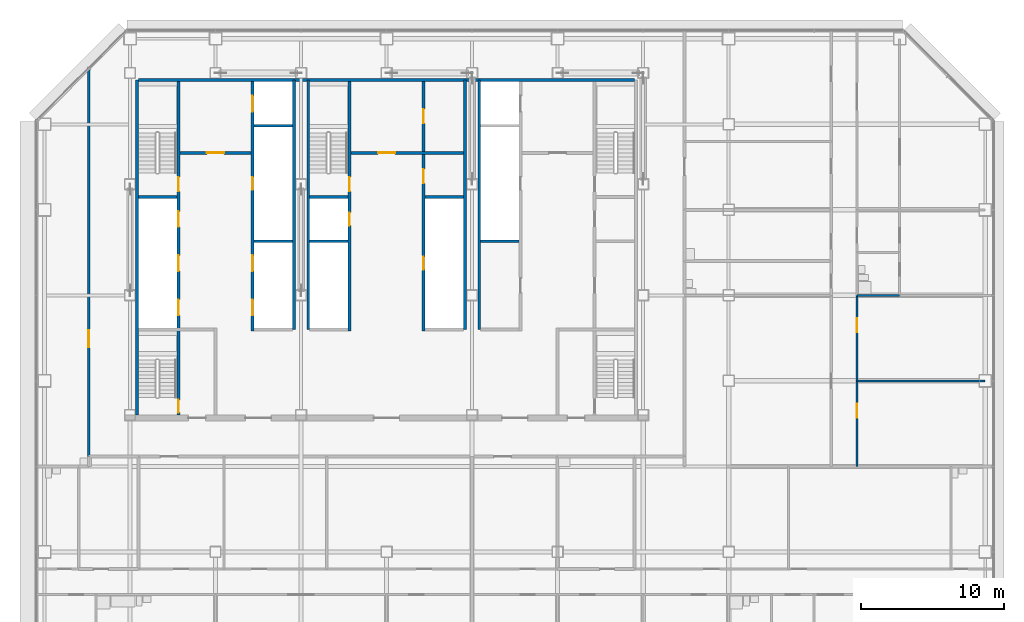
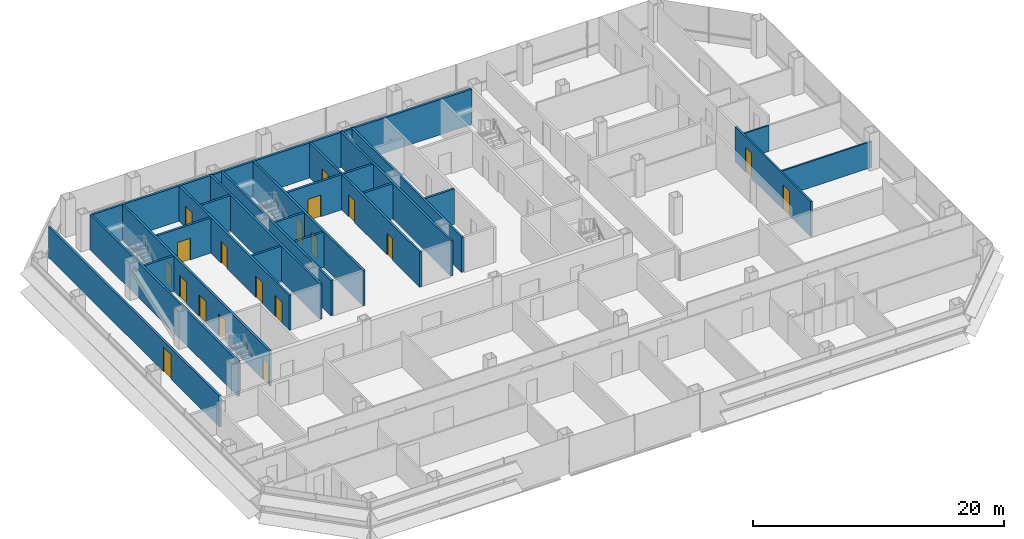
# One storey, part 22 of 27: 23 walls, 19 doors, 19 openings.
"""IFC4 building model written with IfcOpenShell, lengths in metres."""

from ifc_helpers import new_model, si_unit, direction, frame, frame_2d, origin, place, context, subcontext, project, spatial, rectangle, extrude, material, layer, layer_set, type_object, element, fill, save


model = new_model("IFC4")

# Units and contexts
model_context = context("Model", 3, precision=1e-05, world=origin(), true_north=direction((0.0, 1.0)))
body_context = subcontext(model_context, "Body", "Model", "MODEL_VIEW")
ifc_project = project(units=[si_unit("LENGTHUNIT", "METRE"), si_unit("AREAUNIT", "SQUARE_METRE"), si_unit("VOLUMEUNIT", "CUBIC_METRE"), si_unit("PLANEANGLEUNIT", "RADIAN"), si_unit("MASSUNIT", "GRAM", prefix="KILO")], contexts=[model_context])

# Site, building, storey
site_placement = place(None, origin())
site = spatial("IfcSite", under=ifc_project, at=site_placement, CompositionType="ELEMENT")
building_placement = place(site_placement, origin())
building = spatial("IfcBuilding", under=site, at=building_placement, Name="Sorahane Residences", CompositionType="ELEMENT")
storey_placement = place(building_placement, frame((0.0, 0.0, 78.60009765625)))
storey = spatial("IfcBuildingStorey", under=building, at=storey_placement, Name="L16", CompositionType="ELEMENT", Elevation=78.60009765625)

# Walls
ifc_material_1 = material(Name="Concrete C30", Category="concrete")
ifc_layer_1 = layer(ifc_material_1, 0.199951171875)
ifc_layer_set_1 = layer_set([ifc_layer_1], Name="Core face wall 200 EI 180")
wall_type_1 = type_object("IfcWallType", Name="Core face wall 200 EI 180", PredefinedType="SOLIDWALL", material=ifc_layer_set_1)
wall_1_placement = place(storey_placement, frame((6.5, 21.60009765625, 0.0), z_axis=(0.0, 0.0, 1.0), x_axis=(0.0, 1.0, 0.0)))
element("IfcWall", 1, at=wall_1_placement, inside=storey, type_object=wall_type_1, Name="L16 core face wall", PredefinedType="SOLIDWALL", context=body_context, shape_type="SweptSolid", body=[
    extrude(rectangle(XDim=23.5, YDim=0.199951171875, at=frame_2d((11.75, 0.0))), origin(), (0.0, 0.0, 1.0), 3.419921875),
])
wall_2_placement = place(storey_placement, frame((6.60009765625, 45.10009765625, 0.0), z_axis=(0.0, 0.0, 1.0), x_axis=(1.0, 0.0, 0.0)))
element("IfcWall", 2, at=wall_2_placement, inside=storey, type_object=wall_type_1, Name="L16 core face wall", PredefinedType="SOLIDWALL", context=body_context, shape_type="SweptSolid", body=[
    extrude(rectangle(XDim=34.7998046875, YDim=0.199951171875, at=frame_2d((17.39990234375, 0.0))), origin(), (0.0, 0.0, 1.0), 3.419921875),
])
for number, where, z_axis, x_axis, name in (
    (3, (17.5, 27.60009765625, 0.0), (0.0, 0.0, 1.0), (0.0, 1.0, 0.0), "L16 core face wall"),
    (4, (18.5, 27.60009765625, 0.0), (0.0, 0.0, 1.0), (0.0, 1.0, 0.0), "L16 core face wall"),
    (5, (29.5, 27.60009765625, 0.0), (0.0, 0.0, 1.0), (0.0, 1.0, 0.0), "L16 core face wall"),
    (6, (30.5, 27.60009765625, 0.0), (0.0, 0.0, 1.0), (0.0, 1.0, 0.0), "L16 core face wall"),
):
    element("IfcWall", number, at=place(storey_placement, frame(where, z_axis=z_axis, x_axis=x_axis)), inside=storey, type_object=wall_type_1, Name=name, PredefinedType="SOLIDWALL", context=body_context, shape_type="SweptSolid", body=[
        extrude(rectangle(XDim=17.5, YDim=0.199951171875, at=frame_2d((8.75, 0.0))), origin(), (0.0, 0.0, 1.0), 3.419921875),
    ])

# Wall, opening, door
ifc_material_2 = material(Name="Concrete blockwork C20 wall", Category="masonry")
ifc_layer_2 = layer(ifc_material_2, 0.199951171875)
ifc_layer_set_2 = layer_set([ifc_layer_2], Name="Corridor wall 200 EI 120")
wall_type_2 = type_object("IfcWallType", Name="Corridor wall 200 EI 120", PredefinedType="SOLIDWALL", material=ifc_layer_set_2)
wall_3_placement = place(storey_placement, frame((3.10009765625, 18.699951171875, 0.0), z_axis=(0.0, 0.0, 1.0), x_axis=(0.0, 1.0, 0.0)))
wall_3 = element("IfcWall", 7, at=wall_3_placement, inside=storey, type_object=wall_type_2, Name="L16 corridor wall", PredefinedType="SOLIDWALL", context=body_context, shape_type="SweptSolid", body=[
    extrude(rectangle(XDim=27.2490234375, YDim=0.199951171875, at=frame_2d((13.62451171875, 0.0))), origin(), (0.0, 0.0, 1.0), 2.969970703125),
])
opening_1_placement = place(wall_3_placement, frame((7.659912109375, 0.0, 0.0)))
opening_1 = element("IfcOpeningElement", 8, at=opening_1_placement, cuts=wall_3, Name="Opening L16-41", PredefinedType="OPENING", context=body_context, shape_type="SweptSolid", body=[
    extrude(rectangle(XDim=1.199951171875, YDim=2.39990234375, at=frame_2d((0.60009765625, 1.199951171875))), frame((0.0, 0.10986328125, 0.0), z_axis=(0.0, -1.0, 0.0), x_axis=(1.0, 0.0, 0.0)), (0.0, 0.0, 1.0), 0.219970703125),
])
ifc_material_3 = material(Name="Steel", Category="steel")
door_type_1 = type_object("IfcDoorType", Name="Lobby door 1200x2400 FD60", OperationType="NOTDEFINED", PredefinedType="DOOR", material=ifc_material_3)
door_1_placement = place(opening_1_placement, origin())
door_1 = element("IfcDoor", 9, at=door_1_placement, inside=storey, type_object=door_type_1, Name="Lobby door L16-41", OperationType="SINGLE_SWING_RIGHT", OverallHeight=2.39990234375, OverallWidth=1.199951171875, PredefinedType="DOOR", context=body_context, shape_type="SweptSolid", body=[
    extrude(rectangle(XDim=1.199951171875, YDim=2.39990234375, at=frame_2d((0.60009765625, 1.199951171875))), frame((0.0, 0.02490234375, 0.0), z_axis=(0.0, -1.0, 0.0), x_axis=(1.0, 0.0, 0.0)), (0.0, 0.0, 1.0), 0.050048828125),
])
fill(opening_1, door_1)

ifc_material_4 = material(Name="Concrete C30", Category="concrete")
ifc_layer_3 = layer(ifc_material_4, 0.199951171875)
ifc_layer_set_3 = layer_set([ifc_layer_3], Name="Front room wall 200 EI 120")
wall_type_3 = type_object("IfcWallType", Name="Front room wall 200 EI 120", PredefinedType="PARTITIONING", material=ifc_layer_set_3)
wall_4_placement = place(storey_placement, frame((21.5, 40.0, 0.0), z_axis=(0.0, 0.0, 1.0), x_axis=(1.0, 0.0, 0.0)))
wall_4 = element("IfcWall", 10, at=wall_4_placement, inside=storey, type_object=wall_type_3, Name="L16 front room wall", PredefinedType="PARTITIONING", context=body_context, shape_type="SweptSolid", body=[
    extrude(rectangle(XDim=7.89990234375, YDim=0.199951171875, at=frame_2d((3.949951171875, 0.0))), origin(), (0.0, 0.0, 1.0), 3.419921875),
])
opening_2_placement = place(wall_4_placement, frame((1.89990234375, 0.0, 0.0)))
opening_2 = element("IfcOpeningElement", 11, at=opening_2_placement, cuts=wall_4, Name="Opening L16-C07", PredefinedType="OPENING", context=body_context, shape_type="SweptSolid", body=[
    extrude(rectangle(XDim=1.199951171875, YDim=2.10009765625, at=frame_2d((0.60009765625, 1.050048828125))), frame((0.0, 0.10986328125, 0.0), z_axis=(0.0, -1.0, 0.0), x_axis=(1.0, 0.0, 0.0)), (0.0, 0.0, 1.0), 0.219970703125),
])
ifc_material_5 = material(Name="Steel", Category="steel")
door_type_2 = type_object("IfcDoorType", Name="Front room door 1200x2100 FD120", OperationType="NOTDEFINED", PredefinedType="DOOR", material=ifc_material_5)
door_2_placement = place(opening_2_placement, frame((1.199951171875, 0.0, 0.0), z_axis=(0.0, 0.0, 1.0), x_axis=(-1.0, 0.0, 0.0)))
door_2 = element("IfcDoor", 12, at=door_2_placement, inside=storey, type_object=door_type_2, Name="Front room door Stair S3 vestibule L16", OperationType="DOUBLE_DOOR_SINGLE_SWING", OverallHeight=2.10009765625, OverallWidth=1.199951171875, PredefinedType="DOOR", context=body_context, shape_type="SweptSolid", body=[
    extrude(rectangle(XDim=1.199951171875, YDim=2.10009765625, at=frame_2d((0.60009765625, 1.050048828125))), frame((0.0, 0.02490234375, 0.0), z_axis=(0.0, -1.0, 0.0), x_axis=(1.0, 0.0, 0.0)), (0.0, 0.0, 1.0), 0.050048828125),
])
fill(opening_2, door_2)

wall_5_placement = place(storey_placement, frame((9.5, 40.0, 0.0), z_axis=(0.0, 0.0, 1.0), x_axis=(1.0, 0.0, 0.0)))
wall_5 = element("IfcWall", 13, at=wall_5_placement, inside=storey, type_object=wall_type_3, Name="L16 front room wall", PredefinedType="PARTITIONING", context=body_context, shape_type="SweptSolid", body=[
    extrude(rectangle(XDim=5.0, YDim=0.199951171875, at=frame_2d((2.5, 0.0))), origin(), (0.0, 0.0, 1.0), 3.419921875),
])
opening_3_placement = place(wall_5_placement, frame((1.89990234375, 0.0, 0.0)))
opening_3 = element("IfcOpeningElement", 14, at=opening_3_placement, cuts=wall_5, Name="Opening L16-C06", PredefinedType="OPENING", context=body_context, shape_type="SweptSolid", body=[
    extrude(rectangle(XDim=1.199951171875, YDim=2.10009765625, at=frame_2d((0.60009765625, 1.050048828125))), frame((0.0, 0.10986328125, 0.0), z_axis=(0.0, -1.0, 0.0), x_axis=(1.0, 0.0, 0.0)), (0.0, 0.0, 1.0), 0.219970703125),
])
door_3_placement = place(opening_3_placement, frame((1.199951171875, 0.0, 0.0), z_axis=(0.0, 0.0, 1.0), x_axis=(-1.0, 0.0, 0.0)))
door_3 = element("IfcDoor", 15, at=door_3_placement, inside=storey, type_object=door_type_2, Name="Front room door Firefighting lobby FF1 front room L16", OperationType="DOUBLE_DOOR_SINGLE_SWING", OverallHeight=2.10009765625, OverallWidth=1.199951171875, PredefinedType="DOOR", context=body_context, shape_type="SweptSolid", body=[
    extrude(rectangle(XDim=1.199951171875, YDim=2.10009765625, at=frame_2d((0.60009765625, 1.050048828125))), frame((0.0, 0.02490234375, 0.0), z_axis=(0.0, -1.0, 0.0), x_axis=(1.0, 0.0, 0.0)), (0.0, 0.0, 1.0), 0.050048828125),
])
fill(opening_3, door_3)

# Wall, openings, doors
ifc_material_6 = material(Name="Concrete C30", Category="concrete")
ifc_layer_4 = layer(ifc_material_6, 0.199951171875)
ifc_layer_set_4 = layer_set([ifc_layer_4], Name="Lift shaft wall 200 EI 120")
wall_type_4 = type_object("IfcWallType", Name="Lift shaft wall 200 EI 120", PredefinedType="SOLIDWALL", material=ifc_layer_set_4)
wall_6_placement = place(storey_placement, frame((14.60009765625, 27.5, 0.0), z_axis=(0.0, 0.0, 1.0), x_axis=(0.0, 1.0, 0.0)))
wall_6 = element("IfcWall", 16, at=wall_6_placement, inside=storey, type_object=wall_type_4, Name="L16 lift shaft wall", PredefinedType="SOLIDWALL", context=body_context, shape_type="SweptSolid", body=[
    extrude(rectangle(XDim=17.5, YDim=0.199951171875, at=frame_2d((8.75, 0.0))), origin(), (0.0, 0.0, 1.0), 3.419921875),
])
opening_4_placement = place(wall_6_placement, frame((1.10009765625, 0.0, 0.0)))
opening_4 = element("IfcOpeningElement", 17, at=opening_4_placement, cuts=wall_6, Name="Opening L16-C10", PredefinedType="OPENING", context=body_context, shape_type="SweptSolid", body=[
    extrude(rectangle(XDim=1.10009765625, YDim=2.10009765625, at=frame_2d((0.550048828125, 1.050048828125))), frame((0.0, 0.10986328125, 0.0), z_axis=(0.0, -1.0, 0.0), x_axis=(1.0, 0.0, 0.0)), (0.0, 0.0, 1.0), 0.219970703125),
])
opening_5_placement = place(wall_6_placement, frame((4.199951171875, 0.0, 0.0)))
opening_5 = element("IfcOpeningElement", 18, at=opening_5_placement, cuts=wall_6, Name="Opening L16-C11", PredefinedType="OPENING", context=body_context, shape_type="SweptSolid", body=[
    extrude(rectangle(XDim=1.10009765625, YDim=2.10009765625, at=frame_2d((0.550048828125, 1.050048828125))), frame((0.0, 0.10986328125, 0.0), z_axis=(0.0, -1.0, 0.0), x_axis=(1.0, 0.0, 0.0)), (0.0, 0.0, 1.0), 0.219970703125),
])
opening_6_placement = place(wall_6_placement, frame((15.39990234375, 0.0, 0.0)))
opening_6 = element("IfcOpeningElement", 19, at=opening_6_placement, cuts=wall_6, Name="Opening L16-C12", PredefinedType="OPENING", context=body_context, shape_type="SweptSolid", body=[
    extrude(rectangle(XDim=1.10009765625, YDim=2.10009765625, at=frame_2d((0.550048828125, 1.050048828125))), frame((0.0, 0.10986328125, 0.0), z_axis=(0.0, -1.0, 0.0), x_axis=(1.0, 0.0, 0.0)), (0.0, 0.0, 1.0), 0.219970703125),
])
opening_7_placement = place(wall_6_placement, frame((9.89990234375, 0.0, 0.0)))
opening_7 = element("IfcOpeningElement", 20, at=opening_7_placement, cuts=wall_6, Name="Opening L16-C24", PredefinedType="OPENING", context=body_context, shape_type="SweptSolid", body=[
    extrude(rectangle(XDim=0.89990234375, YDim=2.10009765625, at=frame_2d((0.449951171875, 1.050048828125))), frame((0.0, 0.10986328125, 0.0), z_axis=(0.0, -1.0, 0.0), x_axis=(1.0, 0.0, 0.0)), (0.0, 0.0, 1.0), 0.219970703125),
])
ifc_material_7 = material(Name="Aluminium and stainless steel", Category="steel")
door_type_3 = type_object("IfcDoorType", Name="Lift landing door 1100x2100 E 60", OperationType="NOTDEFINED", PredefinedType="DOOR", material=ifc_material_7)
door_4_placement = place(opening_4_placement, origin())
door_4 = element("IfcDoor", 21, at=door_4_placement, inside=storey, type_object=door_type_3, Name="Lift landing door LR4 L16", OperationType="DOUBLE_DOOR_SLIDING", OverallHeight=2.10009765625, OverallWidth=1.10009765625, PredefinedType="DOOR", context=body_context, shape_type="SweptSolid", body=[
    extrude(rectangle(XDim=1.10009765625, YDim=2.10009765625, at=frame_2d((0.550048828125, 1.050048828125))), frame((0.0, 0.02490234375, 0.0), z_axis=(0.0, -1.0, 0.0), x_axis=(1.0, 0.0, 0.0)), (0.0, 0.0, 1.0), 0.050048828125),
])
fill(opening_4, door_4)
door_5_placement = place(opening_5_placement, origin())
door_5 = element("IfcDoor", 22, at=door_5_placement, inside=storey, type_object=door_type_3, Name="Lift landing door LR5 L16", OperationType="DOUBLE_DOOR_SLIDING", OverallHeight=2.10009765625, OverallWidth=1.10009765625, PredefinedType="DOOR", context=body_context, shape_type="SweptSolid", body=[
    extrude(rectangle(XDim=1.10009765625, YDim=2.10009765625, at=frame_2d((0.550048828125, 1.050048828125))), frame((0.0, 0.02490234375, 0.0), z_axis=(0.0, -1.0, 0.0), x_axis=(1.0, 0.0, 0.0)), (0.0, 0.0, 1.0), 0.050048828125),
])
fill(opening_5, door_5)
door_6_placement = place(opening_6_placement, origin())
door_6 = element("IfcDoor", 23, at=door_6_placement, inside=storey, type_object=door_type_3, Name="Lift landing door FF1 L16", OperationType="DOUBLE_DOOR_SLIDING", OverallHeight=2.10009765625, OverallWidth=1.10009765625, PredefinedType="DOOR", context=body_context, shape_type="SweptSolid", body=[
    extrude(rectangle(XDim=1.10009765625, YDim=2.10009765625, at=frame_2d((0.550048828125, 1.050048828125))), frame((0.0, 0.02490234375, 0.0), z_axis=(0.0, -1.0, 0.0), x_axis=(1.0, 0.0, 0.0)), (0.0, 0.0, 1.0), 0.050048828125),
])
fill(opening_6, door_6)
ifc_material_8 = material(Name="Steel", Category="steel")
door_type_4 = type_object("IfcDoorType", Name="Riser door 900x2100 FD120", OperationType="NOTDEFINED", PredefinedType="DOOR", material=ifc_material_8)
door_7_placement = place(opening_7_placement, origin())
door_7 = element("IfcDoor", 24, at=door_7_placement, inside=storey, type_object=door_type_4, Name="Riser door R1 L16", OperationType="SINGLE_SWING_LEFT", OverallHeight=2.10009765625, OverallWidth=0.89990234375, PredefinedType="DOOR", context=body_context, shape_type="SweptSolid", body=[
    extrude(rectangle(XDim=0.89990234375, YDim=2.10009765625, at=frame_2d((0.449951171875, 1.050048828125))), frame((0.0, 0.02490234375, 0.0), z_axis=(0.0, -1.0, 0.0), x_axis=(1.0, 0.0, 0.0)), (0.0, 0.0, 1.0), 0.050048828125),
])
fill(opening_7, door_7)

# Walls
for number, where, z_axis, x_axis, name in (
    (25, (14.699951171875, 33.800048828125, 0.0), (0.0, 0.0, 1.0), (1.0, 0.0, 0.0), "L16 lift shaft wall"),
    (26, (18.60009765625, 33.800048828125, 0.0), (0.0, 0.0, 1.0), (1.0, 0.0, 0.0), "L16 lift shaft wall"),
    (27, (14.699951171875, 41.89990234375, 0.0), (0.0, 0.0, 1.0), (1.0, 0.0, 0.0), "L16 lift shaft wall"),
):
    element("IfcWall", number, at=place(storey_placement, frame(where, z_axis=z_axis, x_axis=x_axis)), inside=storey, type_object=wall_type_4, Name=name, PredefinedType="SOLIDWALL", context=body_context, shape_type="SweptSolid", body=[
        extrude(rectangle(XDim=2.699951171875, YDim=0.199951171875, at=frame_2d((1.35009765625, 0.0))), origin(), (0.0, 0.0, 1.0), 3.419921875),
    ])

# Wall, openings, doors
ifc_material_9 = material(Name="Gypsum board partition on steel studs", Category="steel")
ifc_layer_5 = layer(ifc_material_9, 0.14990234375)
ifc_layer_set_5 = layer_set([ifc_layer_5], Name="Partition 150 EI 90")
wall_type_5 = type_object("IfcWallType", Name="Partition 150 EI 90", PredefinedType="PARTITIONING", material=ifc_layer_set_5)
wall_7_placement = place(storey_placement, frame((57.0, 18.0, 0.0), z_axis=(0.0, 0.0, 1.0), x_axis=(0.0, 1.0, 0.0)))
wall_7 = element("IfcWall", 28, at=wall_7_placement, inside=storey, type_object=wall_type_5, Name="L16 partition", PredefinedType="PARTITIONING", context=body_context, shape_type="SweptSolid", body=[
    extrude(rectangle(XDim=12.0, YDim=0.14990234375, at=frame_2d((6.0, 0.0))), origin(), (0.0, 0.0, 1.0), 3.419921875),
])
opening_8_placement = place(wall_7_placement, frame((3.39990234375, 0.0, 0.0)))
opening_8 = element("IfcOpeningElement", 29, at=opening_8_placement, cuts=wall_7, Name="Opening L16-31", PredefinedType="OPENING", context=body_context, shape_type="SweptSolid", body=[
    extrude(rectangle(XDim=1.0, YDim=2.39990234375, at=frame_2d((0.5, 1.199951171875))), frame((0.0, 0.0849609375, 0.0), z_axis=(0.0, -1.0, 0.0), x_axis=(1.0, 0.0, 0.0)), (0.0, 0.0, 1.0), 0.169921875),
])
opening_9_placement = place(wall_7_placement, frame((9.39990234375, 0.0, 0.0)))
opening_9 = element("IfcOpeningElement", 30, at=opening_9_placement, cuts=wall_7, Name="Opening L16-32", PredefinedType="OPENING", context=body_context, shape_type="SweptSolid", body=[
    extrude(rectangle(XDim=1.0, YDim=2.39990234375, at=frame_2d((0.5, 1.199951171875))), frame((0.0, 0.0849609375, 0.0), z_axis=(0.0, -1.0, 0.0), x_axis=(1.0, 0.0, 0.0)), (0.0, 0.0, 1.0), 0.169921875),
])
ifc_material_10 = material(Name="Timber veneered fire door", Category="wood")
door_type_5 = type_object("IfcDoorType", Name="Room door 1000x2400 FD30", OperationType="NOTDEFINED", PredefinedType="DOOR", material=ifc_material_10)
door_8_placement = place(opening_8_placement, frame((1.0, 0.0, 0.0), z_axis=(0.0, 0.0, 1.0), x_axis=(-1.0, 0.0, 0.0)))
door_8 = element("IfcDoor", 31, at=door_8_placement, inside=storey, type_object=door_type_5, Name="Room door L16-31", OperationType="SINGLE_SWING_RIGHT", OverallHeight=2.39990234375, OverallWidth=1.0, PredefinedType="DOOR", context=body_context, shape_type="SweptSolid", body=[
    extrude(rectangle(XDim=1.0, YDim=2.39990234375, at=frame_2d((0.5, 1.199951171875))), frame((0.0, 0.02490234375, 0.0), z_axis=(0.0, -1.0, 0.0), x_axis=(1.0, 0.0, 0.0)), (0.0, 0.0, 1.0), 0.050048828125),
])
fill(opening_8, door_8)
door_9_placement = place(opening_9_placement, frame((1.0, 0.0, 0.0), z_axis=(0.0, 0.0, 1.0), x_axis=(-1.0, 0.0, 0.0)))
door_9 = element("IfcDoor", 32, at=door_9_placement, inside=storey, type_object=door_type_5, Name="Room door L16-32", OperationType="SINGLE_SWING_LEFT", OverallHeight=2.39990234375, OverallWidth=1.0, PredefinedType="DOOR", context=body_context, shape_type="SweptSolid", body=[
    extrude(rectangle(XDim=1.0, YDim=2.39990234375, at=frame_2d((0.5, 1.199951171875))), frame((0.0, 0.02490234375, 0.0), z_axis=(0.0, -1.0, 0.0), x_axis=(1.0, 0.0, 0.0)), (0.0, 0.0, 1.0), 0.050048828125),
])
fill(opening_9, door_9)

# Wall
wall_8_placement = place(storey_placement, frame((57.0, 24.0, 0.0), z_axis=(0.0, 0.0, 1.0), x_axis=(1.0, 0.0, 0.0)))
element("IfcWall", 33, at=wall_8_placement, inside=storey, type_object=wall_type_5, Name="L16 partition", PredefinedType="PARTITIONING", context=body_context, shape_type="SweptSolid", body=[
    extrude(rectangle(XDim=9.0, YDim=0.14990234375, at=frame_2d((4.5, 0.0))), origin(), (0.0, 0.0, 1.0), 2.52001953125),
])

# Wall, openings, doors
ifc_material_11 = material(Name="Concrete C30", Category="concrete")
ifc_layer_6 = layer(ifc_material_11, 0.199951171875)
ifc_layer_set_6 = layer_set([ifc_layer_6], Name="Riser shaft wall 200 EI 120")
wall_type_6 = type_object("IfcWallType", Name="Riser shaft wall 200 EI 120", PredefinedType="SOLIDWALL", material=ifc_layer_set_6)
wall_9_placement = place(storey_placement, frame((26.60009765625, 27.5, 0.0), z_axis=(0.0, 0.0, 1.0), x_axis=(0.0, 1.0, 0.0)))
wall_9 = element("IfcWall", 34, at=wall_9_placement, inside=storey, type_object=wall_type_6, Name="L16 riser wall", PredefinedType="SOLIDWALL", context=body_context, shape_type="SweptSolid", body=[
    extrude(rectangle(XDim=17.5, YDim=0.199951171875, at=frame_2d((8.75, 0.0))), origin(), (0.0, 0.0, 1.0), 3.419921875),
])
opening_10_placement = place(wall_9_placement, frame((4.300048828125, 0.0, 0.0)))
opening_10 = element("IfcOpeningElement", 35, at=opening_10_placement, cuts=wall_9, Name="Opening L16-C27", PredefinedType="OPENING", context=body_context, shape_type="SweptSolid", body=[
    extrude(rectangle(XDim=0.89990234375, YDim=2.10009765625, at=frame_2d((0.449951171875, 1.050048828125))), frame((0.0, 0.10986328125, 0.0), z_axis=(0.0, -1.0, 0.0), x_axis=(1.0, 0.0, 0.0)), (0.0, 0.0, 1.0), 0.219970703125),
])
opening_11_placement = place(wall_9_placement, frame((10.35009765625, 0.0, 0.0)))
opening_11 = element("IfcOpeningElement", 36, at=opening_11_placement, cuts=wall_9, Name="Opening L16-C28", PredefinedType="OPENING", context=body_context, shape_type="SweptSolid", body=[
    extrude(rectangle(XDim=1.0, YDim=2.10009765625, at=frame_2d((0.5, 1.050048828125))), frame((0.0, 0.10986328125, 0.0), z_axis=(0.0, -1.0, 0.0), x_axis=(1.0, 0.0, 0.0)), (0.0, 0.0, 1.0), 0.219970703125),
])
opening_12_placement = place(wall_9_placement, frame((14.574951171875, 0.0, 0.0)))
opening_12 = element("IfcOpeningElement", 37, at=opening_12_placement, cuts=wall_9, Name="Opening L16-C29", PredefinedType="OPENING", context=body_context, shape_type="SweptSolid", body=[
    extrude(rectangle(XDim=1.0, YDim=2.10009765625, at=frame_2d((0.5, 1.050048828125))), frame((0.0, 0.10986328125, 0.0), z_axis=(0.0, -1.0, 0.0), x_axis=(1.0, 0.0, 0.0)), (0.0, 0.0, 1.0), 0.219970703125),
])
door_10_placement = place(opening_10_placement, origin())
door_10 = element("IfcDoor", 38, at=door_10_placement, inside=storey, type_object=door_type_4, Name="Riser door R4 L16", OperationType="SINGLE_SWING_LEFT", OverallHeight=2.10009765625, OverallWidth=0.89990234375, PredefinedType="DOOR", context=body_context, shape_type="SweptSolid", body=[
    extrude(rectangle(XDim=0.89990234375, YDim=2.10009765625, at=frame_2d((0.449951171875, 1.050048828125))), frame((0.0, 0.02490234375, 0.0), z_axis=(0.0, -1.0, 0.0), x_axis=(1.0, 0.0, 0.0)), (0.0, 0.0, 1.0), 0.050048828125),
])
fill(opening_10, door_10)
ifc_material_12 = material(Name="Steel", Category="steel")
door_type_6 = type_object("IfcDoorType", Name="Service room door 1000x2100 FD60", OperationType="NOTDEFINED", PredefinedType="DOOR", material=ifc_material_12)
door_11_placement = place(opening_11_placement, frame((1.0, 0.0, 0.0), z_axis=(0.0, 0.0, 1.0), x_axis=(-1.0, 0.0, 0.0)))
door_11 = element("IfcDoor", 39, at=door_11_placement, inside=storey, type_object=door_type_6, Name="Service room door Linen room L16", OperationType="SINGLE_SWING_LEFT", OverallHeight=2.10009765625, OverallWidth=1.0, PredefinedType="DOOR", context=body_context, shape_type="SweptSolid", body=[
    extrude(rectangle(XDim=1.0, YDim=2.10009765625, at=frame_2d((0.5, 1.050048828125))), frame((0.0, 0.02490234375, 0.0), z_axis=(0.0, -1.0, 0.0), x_axis=(1.0, 0.0, 0.0)), (0.0, 0.0, 1.0), 0.050048828125),
])
fill(opening_11, door_11)
door_12_placement = place(opening_12_placement, frame((1.0, 0.0, 0.0), z_axis=(0.0, 0.0, 1.0), x_axis=(-1.0, 0.0, 0.0)))
door_12 = element("IfcDoor", 40, at=door_12_placement, inside=storey, type_object=door_type_6, Name="Service room door Cleaners' store L16", OperationType="SINGLE_SWING_LEFT", OverallHeight=2.10009765625, OverallWidth=1.0, PredefinedType="DOOR", context=body_context, shape_type="SweptSolid", body=[
    extrude(rectangle(XDim=1.0, YDim=2.10009765625, at=frame_2d((0.5, 1.050048828125))), frame((0.0, 0.02490234375, 0.0), z_axis=(0.0, -1.0, 0.0), x_axis=(1.0, 0.0, 0.0)), (0.0, 0.0, 1.0), 0.050048828125),
])
fill(opening_12, door_12)

# Walls
for number, where, z_axis, x_axis, name in (
    (41, (30.60009765625, 33.800048828125, 0.0), (0.0, 0.0, 1.0), (1.0, 0.0, 0.0), "L16 riser wall"),
    (42, (26.699951171875, 36.89990234375, 0.0), (0.0, 0.0, 1.0), (1.0, 0.0, 0.0), "L16 riser wall"),
):
    element("IfcWall", number, at=place(storey_placement, frame(where, z_axis=z_axis, x_axis=x_axis)), inside=storey, type_object=wall_type_6, Name=name, PredefinedType="SOLIDWALL", context=body_context, shape_type="SweptSolid", body=[
        extrude(rectangle(XDim=2.699951171875, YDim=0.199951171875, at=frame_2d((1.35009765625, 0.0))), origin(), (0.0, 0.0, 1.0), 3.419921875),
    ])

# Wall, openings, doors
ifc_material_13 = material(Name="Concrete C30", Category="concrete")
ifc_layer_7 = layer(ifc_material_13, 0.199951171875)
ifc_layer_set_7 = layer_set([ifc_layer_7], Name="Stair enclosure wall 200 EI 120")
wall_type_7 = type_object("IfcWallType", Name="Stair enclosure wall 200 EI 120", PredefinedType="SOLIDWALL", material=ifc_layer_set_7)
wall_10_placement = place(storey_placement, frame((21.39990234375, 27.5, 0.0), z_axis=(0.0, 0.0, 1.0), x_axis=(0.0, 1.0, 0.0)))
wall_10 = element("IfcWall", 43, at=wall_10_placement, inside=storey, type_object=wall_type_7, Name="L16 stair enclosure wall", PredefinedType="SOLIDWALL", context=body_context, shape_type="SweptSolid", body=[
    extrude(rectangle(XDim=17.5, YDim=0.199951171875, at=frame_2d((8.75, 0.0))), origin(), (0.0, 0.0, 1.0), 3.419921875),
])
opening_13_placement = place(wall_10_placement, frame((9.800048828125, 0.0, 0.0)))
opening_13 = element("IfcOpeningElement", 44, at=opening_13_placement, cuts=wall_10, Name="Opening L16-C21", PredefinedType="OPENING", context=body_context, shape_type="SweptSolid", body=[
    extrude(rectangle(XDim=1.0, YDim=2.10009765625, at=frame_2d((0.5, 1.050048828125))), frame((0.0, 0.10986328125, 0.0), z_axis=(0.0, -1.0, 0.0), x_axis=(1.0, 0.0, 0.0)), (0.0, 0.0, 1.0), 0.219970703125),
])
opening_14_placement = place(wall_10_placement, frame((7.39990234375, 0.0, 0.0)))
opening_14 = element("IfcOpeningElement", 45, at=opening_14_placement, cuts=wall_10, Name="Opening L16-C26", PredefinedType="OPENING", context=body_context, shape_type="SweptSolid", body=[
    extrude(rectangle(XDim=0.89990234375, YDim=2.10009765625, at=frame_2d((0.449951171875, 1.050048828125))), frame((0.0, 0.10986328125, 0.0), z_axis=(0.0, -1.0, 0.0), x_axis=(1.0, 0.0, 0.0)), (0.0, 0.0, 1.0), 0.219970703125),
])
door_13_placement = place(opening_14_placement, frame((0.89990234375, 0.0, 0.0), z_axis=(0.0, 0.0, 1.0), x_axis=(-1.0, 0.0, 0.0)))
door_13 = element("IfcDoor", 46, at=door_13_placement, inside=storey, type_object=door_type_4, Name="Riser door R3 L16", OperationType="SINGLE_SWING_LEFT", OverallHeight=2.10009765625, OverallWidth=0.89990234375, PredefinedType="DOOR", context=body_context, shape_type="SweptSolid", body=[
    extrude(rectangle(XDim=0.89990234375, YDim=2.10009765625, at=frame_2d((0.449951171875, 1.050048828125))), frame((0.0, 0.02490234375, 0.0), z_axis=(0.0, -1.0, 0.0), x_axis=(1.0, 0.0, 0.0)), (0.0, 0.0, 1.0), 0.050048828125),
])
fill(opening_14, door_13)
ifc_material_14 = material(Name="Steel", Category="steel")
door_type_7 = type_object("IfcDoorType", Name="Stair door 1000x2100 FD120", OperationType="NOTDEFINED", PredefinedType="DOOR", material=ifc_material_14)
door_14_placement = place(opening_13_placement, origin())
door_14 = element("IfcDoor", 47, at=door_14_placement, inside=storey, type_object=door_type_7, Name="Stair door S3 L16", OperationType="SINGLE_SWING_LEFT", OverallHeight=2.10009765625, OverallWidth=1.0, PredefinedType="DOOR", context=body_context, shape_type="SweptSolid", body=[
    extrude(rectangle(XDim=1.0, YDim=2.10009765625, at=frame_2d((0.5, 1.050048828125))), frame((0.0, 0.02490234375, 0.0), z_axis=(0.0, -1.0, 0.0), x_axis=(1.0, 0.0, 0.0)), (0.0, 0.0, 1.0), 0.050048828125),
])
fill(opening_13, door_14)

wall_11_placement = place(storey_placement, frame((9.39990234375, 21.60009765625, 0.0), z_axis=(0.0, 0.0, 1.0), x_axis=(0.0, 1.0, 0.0)))
wall_11 = element("IfcWall", 48, at=wall_11_placement, inside=storey, type_object=wall_type_7, Name="L16 stair enclosure wall", PredefinedType="SOLIDWALL", context=body_context, shape_type="SweptSolid", body=[
    extrude(rectangle(XDim=23.39990234375, YDim=0.199951171875, at=frame_2d((11.699951171875, 0.0))), origin(), (0.0, 0.0, 1.0), 3.419921875),
])
opening_15_placement = place(wall_11_placement, frame((7.0, 0.0, 0.0)))
opening_15 = element("IfcOpeningElement", 49, at=opening_15_placement, cuts=wall_11, Name="Opening L16-C13", PredefinedType="OPENING", context=body_context, shape_type="SweptSolid", body=[
    extrude(rectangle(XDim=1.10009765625, YDim=2.10009765625, at=frame_2d((0.550048828125, 1.050048828125))), frame((0.0, 0.10986328125, 0.0), z_axis=(0.0, -1.0, 0.0), x_axis=(1.0, 0.0, 0.0)), (0.0, 0.0, 1.0), 0.219970703125),
])
opening_16_placement = place(wall_11_placement, frame((10.10009765625, 0.0, 0.0)))
opening_16 = element("IfcOpeningElement", 50, at=opening_16_placement, cuts=wall_11, Name="Opening L16-C14", PredefinedType="OPENING", context=body_context, shape_type="SweptSolid", body=[
    extrude(rectangle(XDim=1.10009765625, YDim=2.10009765625, at=frame_2d((0.550048828125, 1.050048828125))), frame((0.0, 0.10986328125, 0.0), z_axis=(0.0, -1.0, 0.0), x_axis=(1.0, 0.0, 0.0)), (0.0, 0.0, 1.0), 0.219970703125),
])
opening_17_placement = place(wall_11_placement, frame((13.199951171875, 0.0, 0.0)))
opening_17 = element("IfcOpeningElement", 51, at=opening_17_placement, cuts=wall_11, Name="Opening L16-C15", PredefinedType="OPENING", context=body_context, shape_type="SweptSolid", body=[
    extrude(rectangle(XDim=1.10009765625, YDim=2.10009765625, at=frame_2d((0.550048828125, 1.050048828125))), frame((0.0, 0.10986328125, 0.0), z_axis=(0.0, -1.0, 0.0), x_axis=(1.0, 0.0, 0.0)), (0.0, 0.0, 1.0), 0.219970703125),
])
opening_18_placement = place(wall_11_placement, frame((15.699951171875, 0.0, 0.0)))
opening_18 = element("IfcOpeningElement", 52, at=opening_18_placement, cuts=wall_11, Name="Opening L16-C19", PredefinedType="OPENING", context=body_context, shape_type="SweptSolid", body=[
    extrude(rectangle(XDim=1.0, YDim=2.10009765625, at=frame_2d((0.5, 1.050048828125))), frame((0.0, 0.10986328125, 0.0), z_axis=(0.0, -1.0, 0.0), x_axis=(1.0, 0.0, 0.0)), (0.0, 0.0, 1.0), 0.219970703125),
])
opening_19_placement = place(wall_11_placement, frame((0.175048828125, 0.0, 0.0)))
opening_19 = element("IfcOpeningElement", 53, at=opening_19_placement, cuts=wall_11, Name="Opening L16-C22", PredefinedType="OPENING", context=body_context, shape_type="SweptSolid", body=[
    extrude(rectangle(XDim=0.89990234375, YDim=2.10009765625, at=frame_2d((0.449951171875, 1.050048828125))), frame((0.0, 0.10986328125, 0.0), z_axis=(0.0, -1.0, 0.0), x_axis=(1.0, 0.0, 0.0)), (0.0, 0.0, 1.0), 0.219970703125),
])
door_15_placement = place(opening_15_placement, origin())
door_15 = element("IfcDoor", 54, at=door_15_placement, inside=storey, type_object=door_type_3, Name="Lift landing door LR1 L16", OperationType="DOUBLE_DOOR_SLIDING", OverallHeight=2.10009765625, OverallWidth=1.10009765625, PredefinedType="DOOR", context=body_context, shape_type="SweptSolid", body=[
    extrude(rectangle(XDim=1.10009765625, YDim=2.10009765625, at=frame_2d((0.550048828125, 1.050048828125))), frame((0.0, 0.02490234375, 0.0), z_axis=(0.0, -1.0, 0.0), x_axis=(1.0, 0.0, 0.0)), (0.0, 0.0, 1.0), 0.050048828125),
])
fill(opening_15, door_15)
door_16_placement = place(opening_16_placement, origin())
door_16 = element("IfcDoor", 55, at=door_16_placement, inside=storey, type_object=door_type_3, Name="Lift landing door LR2 L16", OperationType="DOUBLE_DOOR_SLIDING", OverallHeight=2.10009765625, OverallWidth=1.10009765625, PredefinedType="DOOR", context=body_context, shape_type="SweptSolid", body=[
    extrude(rectangle(XDim=1.10009765625, YDim=2.10009765625, at=frame_2d((0.550048828125, 1.050048828125))), frame((0.0, 0.02490234375, 0.0), z_axis=(0.0, -1.0, 0.0), x_axis=(1.0, 0.0, 0.0)), (0.0, 0.0, 1.0), 0.050048828125),
])
fill(opening_16, door_16)
door_17_placement = place(opening_17_placement, origin())
door_17 = element("IfcDoor", 56, at=door_17_placement, inside=storey, type_object=door_type_3, Name="Lift landing door LR3 L16", OperationType="DOUBLE_DOOR_SLIDING", OverallHeight=2.10009765625, OverallWidth=1.10009765625, PredefinedType="DOOR", context=body_context, shape_type="SweptSolid", body=[
    extrude(rectangle(XDim=1.10009765625, YDim=2.10009765625, at=frame_2d((0.550048828125, 1.050048828125))), frame((0.0, 0.02490234375, 0.0), z_axis=(0.0, -1.0, 0.0), x_axis=(1.0, 0.0, 0.0)), (0.0, 0.0, 1.0), 0.050048828125),
])
fill(opening_17, door_17)
door_18_placement = place(opening_18_placement, origin())
door_18 = element("IfcDoor", 57, at=door_18_placement, inside=storey, type_object=door_type_7, Name="Stair door S1 L16", OperationType="SINGLE_SWING_LEFT", OverallHeight=2.10009765625, OverallWidth=1.0, PredefinedType="DOOR", context=body_context, shape_type="SweptSolid", body=[
    extrude(rectangle(XDim=1.0, YDim=2.10009765625, at=frame_2d((0.5, 1.050048828125))), frame((0.0, 0.02490234375, 0.0), z_axis=(0.0, -1.0, 0.0), x_axis=(1.0, 0.0, 0.0)), (0.0, 0.0, 1.0), 0.050048828125),
])
fill(opening_18, door_18)
ifc_material_15 = material(Name="Steel", Category="steel")
door_type_8 = type_object("IfcDoorType", Name="Stair door 900x2100 FD120", OperationType="NOTDEFINED", PredefinedType="DOOR", material=ifc_material_15)
door_19_placement = place(opening_19_placement, origin())
door_19 = element("IfcDoor", 58, at=door_19_placement, inside=storey, type_object=door_type_8, Name="Stair door S4 L16", OperationType="SINGLE_SWING_LEFT", OverallHeight=2.10009765625, OverallWidth=0.89990234375, PredefinedType="DOOR", context=body_context, shape_type="SweptSolid", body=[
    extrude(rectangle(XDim=0.89990234375, YDim=2.10009765625, at=frame_2d((0.449951171875, 1.050048828125))), frame((0.0, 0.02490234375, 0.0), z_axis=(0.0, -1.0, 0.0), x_axis=(1.0, 0.0, 0.0)), (0.0, 0.0, 1.0), 0.050048828125),
])
fill(opening_19, door_19)

# Walls
for number, where, z_axis, x_axis, name in (
    (59, (18.60009765625, 36.89990234375, 0.0), (0.0, 0.0, 1.0), (1.0, 0.0, 0.0), "L16 stair enclosure wall"),
    (60, (6.60009765625, 36.89990234375, 0.0), (0.0, 0.0, 1.0), (1.0, 0.0, 0.0), "L16 stair enclosure wall"),
):
    element("IfcWall", number, at=place(storey_placement, frame(where, z_axis=z_axis, x_axis=x_axis)), inside=storey, type_object=wall_type_7, Name=name, PredefinedType="SOLIDWALL", context=body_context, shape_type="SweptSolid", body=[
        extrude(rectangle(XDim=2.699951171875, YDim=0.199951171875, at=frame_2d((1.35009765625, 0.0))), origin(), (0.0, 0.0, 1.0), 3.419921875),
    ])
ifc_material_16 = material(Name="Gypsum board partition on steel studs", Category="steel")
ifc_layer_8 = layer(ifc_material_16, 0.14990234375)
ifc_layer_set_8 = layer_set([ifc_layer_8], Name="Wet wall 150 EI 90")
wall_type_8 = type_object("IfcWallType", Name="Wet wall 150 EI 90", PredefinedType="PARTITIONING", material=ifc_layer_set_8)
wall_12_placement = place(storey_placement, frame((57.0, 30.0, 0.0), z_axis=(0.0, 0.0, 1.0), x_axis=(1.0, 0.0, 0.0)))
element("IfcWall", 61, at=wall_12_placement, inside=storey, type_object=wall_type_8, Name="L16 wet wall", PredefinedType="PARTITIONING", context=body_context, shape_type="SweptSolid", body=[
    extrude(rectangle(XDim=3.0, YDim=0.14990234375, at=frame_2d((1.5, 0.0))), origin(), (0.0, 0.0, 1.0), 2.52001953125),
])

save(model, "model.ifc")
